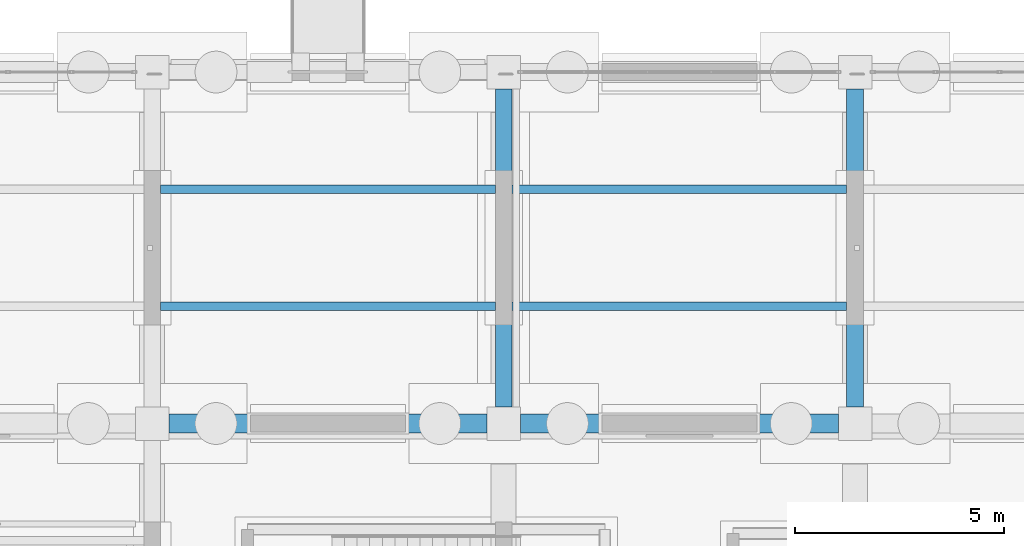
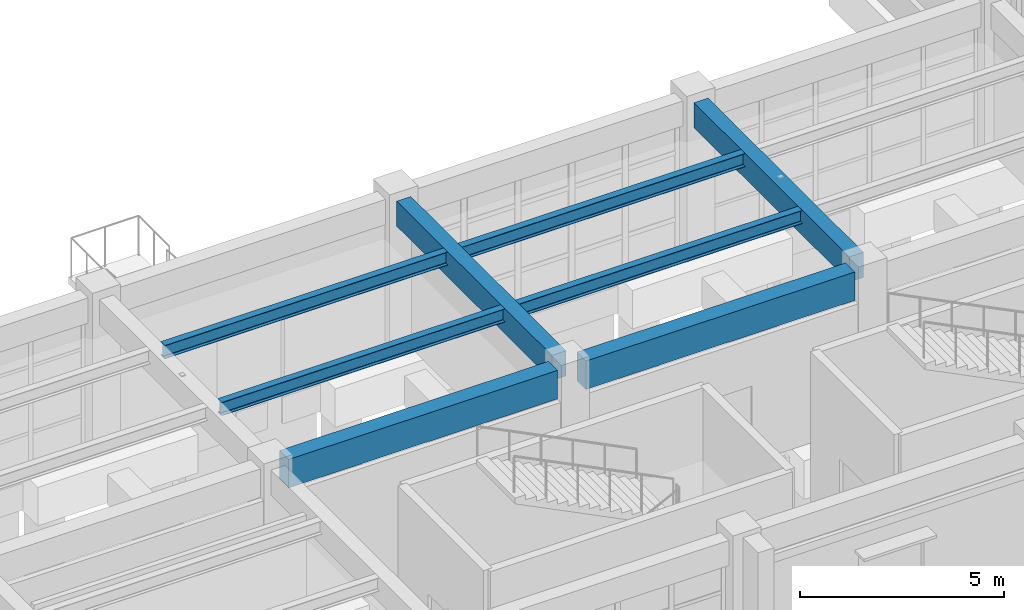
# One storey, part 27 of 111: 8 beams.
"""IFC4 building model written with IfcOpenShell, lengths in metres."""

from ifc_helpers import new_model, si_unit, direction, frame, origin, origin_2d, place, context, subcontext, project, spatial, rectangle, i_section, extrude, material, material_profile, profile_set, type_object, element, save


model = new_model("IFC4")

# Units and contexts
model_context = context("Model", 3, precision=1e-05, world=origin(), true_north=direction((0.0, 1.0)))
body_context = subcontext(model_context, "Body", "Model", "MODEL_VIEW")
ifc_project = project(units=[si_unit("LENGTHUNIT", "METRE"), si_unit("AREAUNIT", "SQUARE_METRE"), si_unit("VOLUMEUNIT", "CUBIC_METRE"), si_unit("PLANEANGLEUNIT", "RADIAN"), si_unit("MASSUNIT", "GRAM", prefix="KILO")], contexts=[model_context])

# Site, building, storey
site_placement = place(None, origin())
site = spatial("IfcSite", under=ifc_project, at=site_placement, CompositionType="ELEMENT")
building_placement = place(site_placement, origin())
building = spatial("IfcBuilding", under=site, at=building_placement, Name="Canglan Escarpment Cableway Terminal", CompositionType="ELEMENT")
storey_placement = place(building_placement, frame((0.0, 0.0, 4.800048828125)))
storey = spatial("IfcBuildingStorey", under=building, at=storey_placement, Name="L01", CompositionType="ELEMENT", Elevation=4.800048828125)

# Beams
ifc_material_1 = material(Name="Concrete C40", Category="concrete")
ifc_material_profile_1 = material_profile(ifc_material_1, rectangle(XDim=0.39990234375, YDim=0.75, at=origin_2d()), Name="RC 400x750")
ifc_profile_set_1 = profile_set([ifc_material_profile_1], Name="Concrete C40")
beam_type_1 = type_object("IfcBeamType", Name="BM-RC400x750", PredefinedType="BEAM", material=ifc_profile_set_1)
for number, where, z_axis, x_axis, name in (
    (1, (93.800048828125, 16.800048828125, 4.175048828125), (0.0, 1.0, 0.0), (-1.0, 0.0, 0.0), "Primary transverse girder B-03"),
    (2, (102.199951171875, 16.800048828125, 4.175048828125), (0.0, 1.0, 0.0), (-1.0, 0.0, 0.0), "Primary transverse girder B-03"),
):
    element("IfcBeam", number, at=place(storey_placement, frame(where, z_axis=z_axis, x_axis=x_axis)), inside=storey, type_object=beam_type_1, Name=name, PredefinedType="BEAM", context=body_context, shape_type="SweptSolid", body=[
        extrude(rectangle(XDim=0.39990234375, YDim=0.75, at=origin_2d()), origin(), (0.0, 0.0, 1.0), 7.599853515625),
    ])
ifc_material_profile_2 = material_profile(ifc_material_1, rectangle(XDim=0.449951171875, YDim=0.85009765625, at=origin_2d()), Name="RC 450x850")
ifc_profile_set_2 = profile_set([ifc_material_profile_2], Name="Concrete C40")
beam_type_2 = type_object("IfcBeamType", Name="BM-RC450x850", PredefinedType="BEAM", material=ifc_profile_set_2)
beam_1_placement = place(storey_placement, frame((85.800048828125, 16.39990234375, 4.125), z_axis=(1.0, 0.0, 0.0), x_axis=(0.0, 1.0, 0.0)))
element("IfcBeam", 3, at=beam_1_placement, inside=storey, type_object=beam_type_2, Name="Primary structural girder B-02", PredefinedType="BEAM", context=body_context, shape_type="SweptSolid", body=[
    extrude(rectangle(XDim=0.449951171875, YDim=0.85009765625, at=origin_2d()), origin(), (0.0, 0.0, 1.0), 7.599853515625),
])
beam_2_placement = place(storey_placement, frame((94.199951171875, 16.39990234375, 4.125), z_axis=(1.0, 0.0, 0.0), x_axis=(0.0, 1.0, 0.0)))
element("IfcBeam", 4, at=beam_2_placement, inside=storey, type_object=beam_type_2, Name="Primary structural girder B-02", PredefinedType="BEAM", context=body_context, shape_type="SweptSolid", body=[
    extrude(rectangle(XDim=0.449951171875, YDim=0.85009765625, at=origin_2d()), origin(), (0.0, 0.0, 1.0), 7.60009765625),
])
ifc_material_2 = material(Name="Steel Q355B", Category="steel")
ifc_material_profile_3 = material_profile(ifc_material_2, i_section(OverallWidth=0.199951171875, OverallDepth=0.39990234375, WebThickness=0.008056640625, FlangeThickness=0.012939453125, FilletRadius=0.01611328125, at=origin_2d()), Name="HN 400x200x8x13")
ifc_profile_set_3 = profile_set([ifc_material_profile_3], Name="Steel Q355B")
beam_type_3 = type_object("IfcBeamType", Name="JS-HN400", PredefinedType="JOIST", material=ifc_profile_set_3)
for number, where, z_axis, x_axis, name in (
    (5, (85.60009765625, 19.199951171875, 4.349853515625), (1.0, 0.0, 0.0), (0.0, 1.0, 0.0), "Secondary composite deck joist J-03"),
    (6, (85.60009765625, 22.0, 4.349853515625), (1.0, 0.0, 0.0), (0.0, 1.0, 0.0), "Secondary composite deck joist J-03"),
    (7, (94.0, 19.199951171875, 4.349853515625), (1.0, 0.0, 0.0), (0.0, 1.0, 0.0), "Secondary composite deck joist J-03"),
    (8, (94.0, 22.0, 4.349853515625), (1.0, 0.0, 0.0), (0.0, 1.0, 0.0), "Secondary composite deck joist J-03"),
):
    element("IfcBeam", number, at=place(storey_placement, frame(where, z_axis=z_axis, x_axis=x_axis)), inside=storey, type_object=beam_type_3, Name=name, PredefinedType="JOIST", context=body_context, shape_type="SweptSolid", body=[
        extrude(i_section(OverallWidth=0.199951171875, OverallDepth=0.39990234375, WebThickness=0.008056640625, FlangeThickness=0.012939453125, FilletRadius=0.01611328125, at=origin_2d()), origin(), (0.0, 0.0, 1.0), 8.0),
    ])

save(model, "model.ifc")
